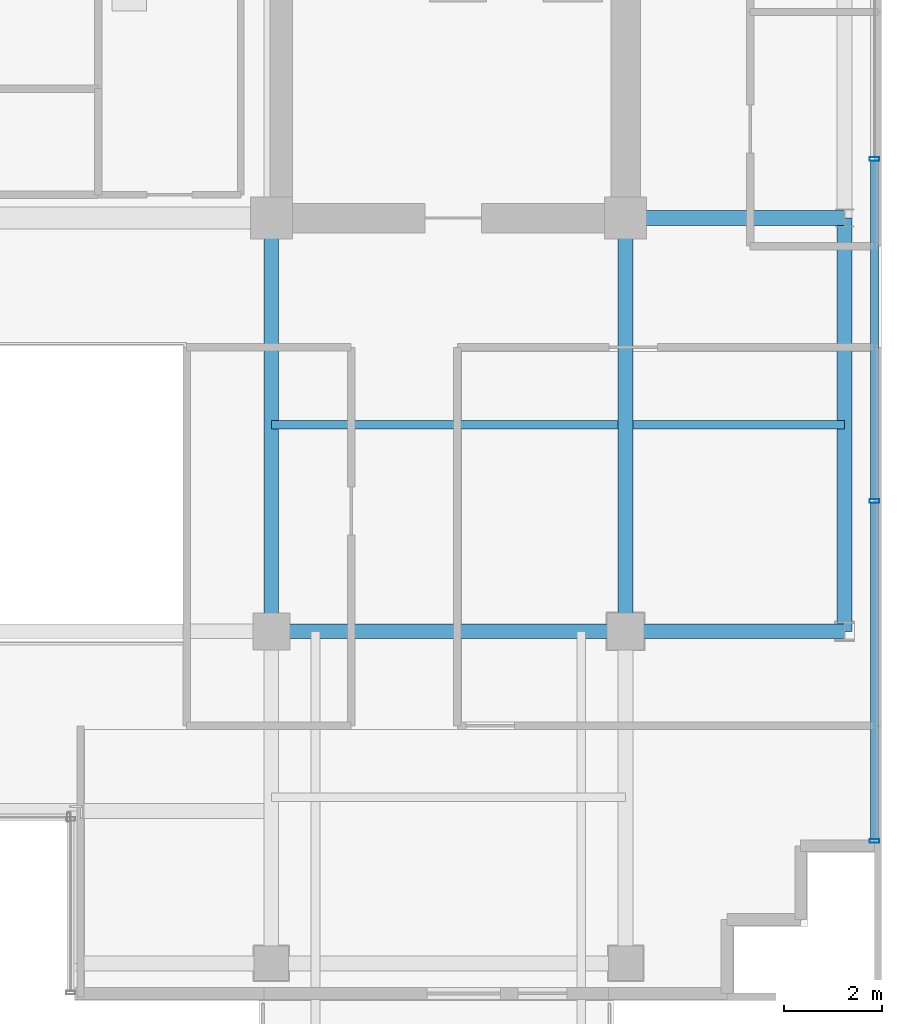
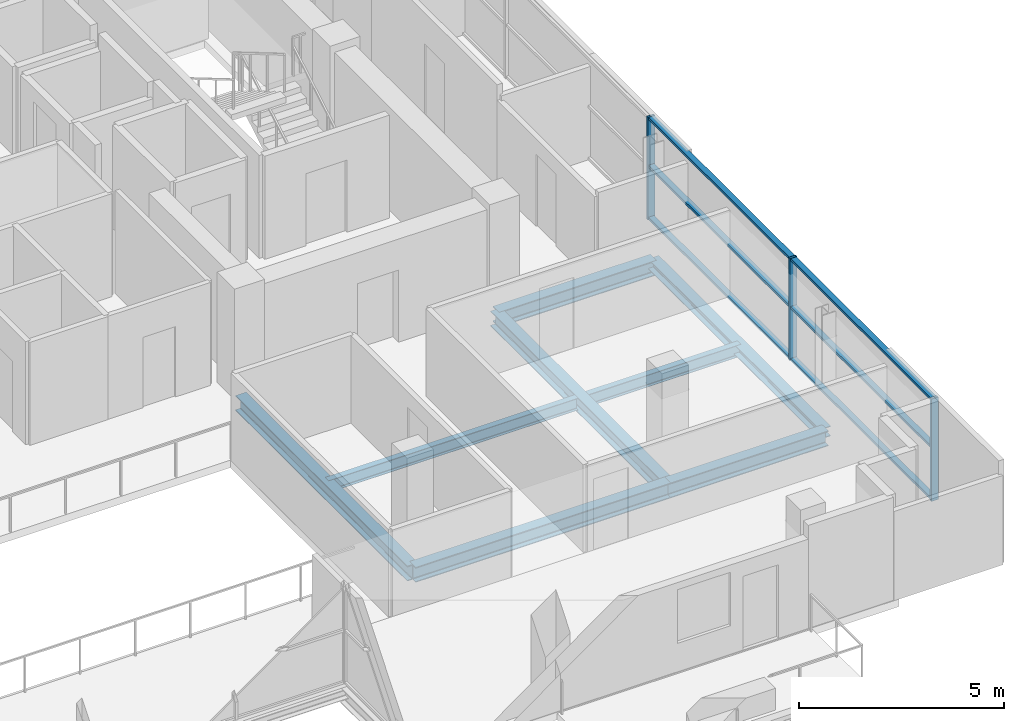
# One storey, part 8 of 24: 9 members, 8 beams, 1 element without a shape of its own.
"""IFC4 building model written with IfcOpenShell, lengths in metres."""

from ifc_helpers import new_model, si_unit, direction, frame, origin, origin_2d, place, context, subcontext, project, spatial, hollow_rectangle, i_section, extrude, source, transform, mapped, material, layer, layer_set, material_profile, profile_set, type_object, element, aggregate, save


model = new_model("IFC4")

# Units and contexts
model_context = context("Model", 3, precision=1e-05, world=origin(), true_north=direction((0.0, 1.0)))
body_context = subcontext(model_context, "Body", "Model", "MODEL_VIEW")
ifc_project = project(units=[si_unit("LENGTHUNIT", "METRE"), si_unit("AREAUNIT", "SQUARE_METRE"), si_unit("VOLUMEUNIT", "CUBIC_METRE"), si_unit("PLANEANGLEUNIT", "RADIAN"), si_unit("MASSUNIT", "GRAM", prefix="KILO")], contexts=[model_context])

# Site, building, storey
site_placement = place(None, origin())
site = spatial("IfcSite", under=ifc_project, at=site_placement, CompositionType="ELEMENT")
building_placement = place(site_placement, origin())
building = spatial("IfcBuilding", under=site, at=building_placement, Name="Zarnakvel Exchange Tower", CompositionType="ELEMENT")
storey_placement = place(building_placement, frame((0.0, 0.0, 208.89990234375)))
storey = spatial("IfcBuildingStorey", under=building, at=storey_placement, Name="L58", CompositionType="ELEMENT", Elevation=208.89990234375)

# Beams
ifc_material_1 = material(Name="Steel S355", Category="steel")
ifc_material_profile_1 = material_profile(ifc_material_1, i_section(OverallWidth=0.169921875, OverallDepth=0.360107421875, WebThickness=0.008056640625, FlangeThickness=0.0126953125, FilletRadius=0.01806640625, at=origin_2d()))
ifc_profile_set_1 = profile_set([ifc_material_profile_1], Name="Steel S355")
beam_type_1 = type_object("IfcBeamType", Name="B-07", PredefinedType="JOIST", material=ifc_profile_set_1)
beam_1_placement = place(storey_placement, frame((7.199951171875, -5.39990234375, -0.40478515625), z_axis=(1.0, 0.0, 0.0), x_axis=(0.0, 1.0, 0.0)))
element("IfcBeam", 1, at=beam_1_placement, inside=storey, type_object=beam_type_1, Name="L58 Composite Floor Secondary Joist", PredefinedType="JOIST", context=body_context, shape_type="SweptSolid", body=[
    extrude(i_section(OverallWidth=0.169921875, OverallDepth=0.360107421875, WebThickness=0.008056640625, FlangeThickness=0.0126953125, FilletRadius=0.01806640625, at=origin_2d()), origin(), (0.0, 0.0, 1.0), 7.050048828125),
])
beam_2_placement = place(storey_placement, frame((14.550048828125, -5.39990234375, -0.40478515625), z_axis=(1.0, 0.0, 0.0), x_axis=(0.0, 1.0, 0.0)))
element("IfcBeam", 2, at=beam_2_placement, inside=storey, type_object=beam_type_1, Name="L58 Composite Floor Secondary Joist", PredefinedType="JOIST", context=body_context, shape_type="SweptSolid", body=[
    extrude(i_section(OverallWidth=0.169921875, OverallDepth=0.360107421875, WebThickness=0.008056640625, FlangeThickness=0.0126953125, FilletRadius=0.01806640625, at=origin_2d()), origin(), (0.0, 0.0, 1.0), 4.300048828125),
])
ifc_material_profile_2 = material_profile(ifc_material_1, i_section(OverallWidth=0.300048828125, OverallDepth=0.449951171875, WebThickness=0.013916015625, FlangeThickness=0.02587890625, FilletRadius=0.027099609375, at=origin_2d()))
ifc_profile_set_2 = profile_set([ifc_material_profile_2], Name="Steel S355")
beam_type_2 = type_object("IfcBeamType", Name="G-07", PredefinedType="BEAM", material=ifc_profile_set_2)
beam_3_placement = place(storey_placement, frame((7.199951171875, -9.60009765625, -0.449951171875), z_axis=(1.0, 0.0, 0.0), x_axis=(0.0, 1.0, 0.0)))
element("IfcBeam", 3, at=beam_3_placement, inside=storey, type_object=beam_type_2, Name="L58 Tower E-W Frame Beam", PredefinedType="BEAM", context=body_context, shape_type="SweptSolid", body=[
    extrude(i_section(OverallWidth=0.300048828125, OverallDepth=0.449951171875, WebThickness=0.013916015625, FlangeThickness=0.02587890625, FilletRadius=0.027099609375, at=origin_2d()), origin(), (0.0, 0.0, 1.0), 7.199951171875),
])
for number, where, z_axis, x_axis, name in (
    (4, (14.39990234375, -9.60009765625, -0.449951171875), (1.0, 0.0, 0.0), (0.0, 1.0, 0.0), "L58 Tower E-W Frame Beam"),
    (5, (14.39990234375, -1.199951171875, -0.449951171875), (1.0, 0.0, 0.0), (0.0, 1.0, 0.0), "L58 Tower E-W Frame Beam"),
):
    element("IfcBeam", number, at=place(storey_placement, frame(where, z_axis=z_axis, x_axis=x_axis)), inside=storey, type_object=beam_type_2, Name=name, PredefinedType="BEAM", context=body_context, shape_type="SweptSolid", body=[
        extrude(i_section(OverallWidth=0.300048828125, OverallDepth=0.449951171875, WebThickness=0.013916015625, FlangeThickness=0.02587890625, FilletRadius=0.027099609375, at=origin_2d()), origin(), (0.0, 0.0, 1.0), 4.4501953125),
    ])
for number, where, z_axis, x_axis, name in (
    (6, (7.199951171875, -9.60009765625, -0.449951171875), (0.0, 1.0, 0.0), (-1.0, 0.0, 0.0), "L58 Tower N-S Frame Beam"),
    (7, (14.39990234375, -9.60009765625, -0.449951171875), (0.0, 1.0, 0.0), (-1.0, 0.0, 0.0), "L58 Tower N-S Frame Beam"),
):
    element("IfcBeam", number, at=place(storey_placement, frame(where, z_axis=z_axis, x_axis=x_axis)), inside=storey, type_object=beam_type_2, Name=name, PredefinedType="BEAM", context=body_context, shape_type="SweptSolid", body=[
        extrude(i_section(OverallWidth=0.300048828125, OverallDepth=0.449951171875, WebThickness=0.013916015625, FlangeThickness=0.02587890625, FilletRadius=0.027099609375, at=origin_2d()), origin(), (0.0, 0.0, 1.0), 8.400146484375),
    ])
ifc_material_profile_3 = material_profile(ifc_material_1, i_section(OverallWidth=0.300048828125, OverallDepth=0.300048828125, WebThickness=0.010986328125, FlangeThickness=0.01904296875, FilletRadius=0.027099609375, at=origin_2d()))
ifc_profile_set_3 = profile_set([ifc_material_profile_3], Name="Steel S355")
beam_type_3 = type_object("IfcBeamType", Name="SP-03", PredefinedType="SPANDREL", material=ifc_profile_set_3)
beam_4_placement = place(storey_placement, frame((18.85009765625, -9.60009765625, -0.375), z_axis=(0.0, 1.0, 0.0), x_axis=(-1.0, 0.0, 0.0)))
element("IfcBeam", 8, at=beam_4_placement, inside=storey, type_object=beam_type_3, Name="L58 Tower N-S Frame Beam", PredefinedType="SPANDREL", context=body_context, shape_type="SweptSolid", body=[
    extrude(i_section(OverallWidth=0.300048828125, OverallDepth=0.300048828125, WebThickness=0.010986328125, FlangeThickness=0.01904296875, FilletRadius=0.027099609375, at=origin_2d()), origin(), (0.0, 0.0, 1.0), 8.400146484375),
])

# Curtain wall, members
ifc_material_2 = material(Name="Architectural Bronze Anodised Aluminium", Category="aluminium")
ifc_layer = layer(ifc_material_2, 0.199951171875)
ifc_layer_set = layer_set([ifc_layer], Name="Architectural Bronze Anodised Aluminium")
curtain_wall_type = type_object("IfcCurtainWallType", Name="CW-04", PredefinedType="NOTDEFINED", material=ifc_layer_set)
curtain_wall_placement = place(storey_placement, origin())
curtain_wall = element("IfcCurtainWall", 9, at=curtain_wall_placement, inside=storey, type_object=curtain_wall_type, Name="L58 Curtain Wall CW-L58-E1 (CW-04)", PredefinedType="NOTDEFINED")
ifc_material_profile_4 = material_profile(ifc_material_2, hollow_rectangle(XDim=0.199951171875, YDim=0.074951171875, WallThickness=0.0048828125, at=origin_2d()))
ifc_profile_set_4 = profile_set([ifc_material_profile_4], Name="Architectural Bronze Anodised Aluminium")
member_type_1 = type_object("IfcMemberType", Name="CWM-04", PredefinedType="MULLION", material=ifc_profile_set_4)
shared_shape_1 = source(origin(), body_context, "Body", "SweptSolid", [
    extrude(hollow_rectangle(XDim=0.199951171875, YDim=0.074951171875, WallThickness=0.0048828125, at=origin_2d()), origin(), (0.0, 0.0, 1.0), 3.05517578125),
])
member_1_placement = place(storey_placement, frame((19.4599609375, -13.862548828125, 0.0), z_axis=(0.0, 0.0, 1.0), x_axis=(-1.0, 0.0, 0.0)))
member_1 = element("IfcMember", 10, at=member_1_placement, type_object=member_type_1, Name="CW-04 mullion 1", PredefinedType="MULLION", context=body_context, shape_type="MappedRepresentation", body=[
    mapped(shared_shape_1, transform((0.0, 0.0, 0.0), x_axis=(1.0, 0.0, 0.0), y_axis=(0.0, 1.0, 0.0), z_axis=(0.0, 0.0, 1.0), scale=1.0)),
])
member_2_placement = place(storey_placement, frame((19.4599609375, -6.949951171875, 0.0), z_axis=(0.0, 0.0, 1.0), x_axis=(-1.0, 0.0, 0.0)))
member_2 = element("IfcMember", 11, at=member_2_placement, type_object=member_type_1, Name="CW-04 mullion 2", PredefinedType="MULLION", context=body_context, shape_type="MappedRepresentation", body=[
    mapped(shared_shape_1, transform((0.0, 0.0, 0.0), x_axis=(1.0, 0.0, 0.0), y_axis=(0.0, 1.0, 0.0), z_axis=(0.0, 0.0, 1.0), scale=1.0)),
])
member_3_placement = place(storey_placement, frame((19.4599609375, 0.0, 0.0), z_axis=(0.0, 0.0, 1.0), x_axis=(-1.0, 0.0, 0.0)))
member_3 = element("IfcMember", 12, at=member_3_placement, type_object=member_type_1, Name="CW-04 mullion 3", PredefinedType="MULLION", context=body_context, shape_type="MappedRepresentation", body=[
    mapped(shared_shape_1, transform((0.0, 0.0, 0.0), x_axis=(1.0, 0.0, 0.0), y_axis=(0.0, 1.0, 0.0), z_axis=(0.0, 0.0, 1.0), scale=1.0)),
])
ifc_material_profile_5 = material_profile(ifc_material_2, hollow_rectangle(XDim=0.159912109375, YDim=0.074951171875, WallThickness=0.00390625, at=origin_2d()))
ifc_profile_set_5 = profile_set([ifc_material_profile_5], Name="Architectural Bronze Anodised Aluminium")
member_type_2 = type_object("IfcMemberType", Name="CWT-04", PredefinedType="USERDEFINED", material=ifc_profile_set_5)
shared_shape_2 = source(origin(), body_context, "Body", "SweptSolid", [
    extrude(hollow_rectangle(XDim=0.159912109375, YDim=0.074951171875, WallThickness=0.00390625, at=origin_2d()), origin(), (0.0, 0.0, 1.0), 6.83740234375),
])
member_4_placement = place(storey_placement, frame((19.4599609375, -13.824951171875, 0.03759765625), z_axis=(0.0, 1.0, 0.0), x_axis=(-1.0, 0.0, 0.0)))
member_4 = element("IfcMember", 13, at=member_4_placement, type_object=member_type_2, Name="CW-04 transom 1.1", ObjectType="TRANSOM", PredefinedType="USERDEFINED", context=body_context, shape_type="MappedRepresentation", body=[
    mapped(shared_shape_2, transform((0.0, 0.0, 0.0), x_axis=(1.0, 0.0, 0.0), y_axis=(0.0, 1.0, 0.0), z_axis=(0.0, 0.0, 1.0), scale=1.0)),
])
member_5_placement = place(storey_placement, frame((19.4599609375, -13.824951171875, 1.588623046875), z_axis=(0.0, 1.0, 0.0), x_axis=(-1.0, 0.0, 0.0)))
member_5 = element("IfcMember", 14, at=member_5_placement, type_object=member_type_2, Name="CW-04 transom 1.2", ObjectType="TRANSOM", PredefinedType="USERDEFINED", context=body_context, shape_type="MappedRepresentation", body=[
    mapped(shared_shape_2, transform((0.0, 0.0, 0.0), x_axis=(1.0, 0.0, 0.0), y_axis=(0.0, 1.0, 0.0), z_axis=(0.0, 0.0, 1.0), scale=1.0)),
])
member_6_placement = place(storey_placement, frame((19.4599609375, -13.824951171875, 3.017578125), z_axis=(0.0, 1.0, 0.0), x_axis=(-1.0, 0.0, 0.0)))
member_6 = element("IfcMember", 15, at=member_6_placement, type_object=member_type_2, Name="CW-04 transom 1.3", ObjectType="TRANSOM", PredefinedType="USERDEFINED", context=body_context, shape_type="MappedRepresentation", body=[
    mapped(shared_shape_2, transform((0.0, 0.0, 0.0), x_axis=(1.0, 0.0, 0.0), y_axis=(0.0, 1.0, 0.0), z_axis=(0.0, 0.0, 1.0), scale=1.0)),
])
shared_shape_3 = source(origin(), body_context, "Body", "SweptSolid", [
    extrude(hollow_rectangle(XDim=0.159912109375, YDim=0.074951171875, WallThickness=0.00390625, at=origin_2d()), origin(), (0.0, 0.0, 1.0), 6.875),
])
member_7_placement = place(storey_placement, frame((19.4599609375, -6.91259765625, 0.03759765625), z_axis=(0.0, 1.0, 0.0), x_axis=(-1.0, 0.0, 0.0)))
member_7 = element("IfcMember", 16, at=member_7_placement, type_object=member_type_2, Name="CW-04 transom 2.1", ObjectType="TRANSOM", PredefinedType="USERDEFINED", context=body_context, shape_type="MappedRepresentation", body=[
    mapped(shared_shape_3, transform((0.0, 0.0, 0.0), x_axis=(1.0, 0.0, 0.0), y_axis=(0.0, 1.0, 0.0), z_axis=(0.0, 0.0, 1.0), scale=1.0)),
])
member_8_placement = place(storey_placement, frame((19.4599609375, -6.91259765625, 1.588623046875), z_axis=(0.0, 1.0, 0.0), x_axis=(-1.0, 0.0, 0.0)))
member_8 = element("IfcMember", 17, at=member_8_placement, type_object=member_type_2, Name="CW-04 transom 2.2", ObjectType="TRANSOM", PredefinedType="USERDEFINED", context=body_context, shape_type="MappedRepresentation", body=[
    mapped(shared_shape_3, transform((0.0, 0.0, 0.0), x_axis=(1.0, 0.0, 0.0), y_axis=(0.0, 1.0, 0.0), z_axis=(0.0, 0.0, 1.0), scale=1.0)),
])
member_9_placement = place(storey_placement, frame((19.4599609375, -6.91259765625, 3.017578125), z_axis=(0.0, 1.0, 0.0), x_axis=(-1.0, 0.0, 0.0)))
member_9 = element("IfcMember", 18, at=member_9_placement, type_object=member_type_2, Name="CW-04 transom 2.3", ObjectType="TRANSOM", PredefinedType="USERDEFINED", context=body_context, shape_type="MappedRepresentation", body=[
    mapped(shared_shape_3, transform((0.0, 0.0, 0.0), x_axis=(1.0, 0.0, 0.0), y_axis=(0.0, 1.0, 0.0), z_axis=(0.0, 0.0, 1.0), scale=1.0)),
])
aggregate(curtain_wall, [member_1, member_2, member_3, member_4, member_5, member_6, member_7, member_8, member_9])

save(model, "model.ifc")
